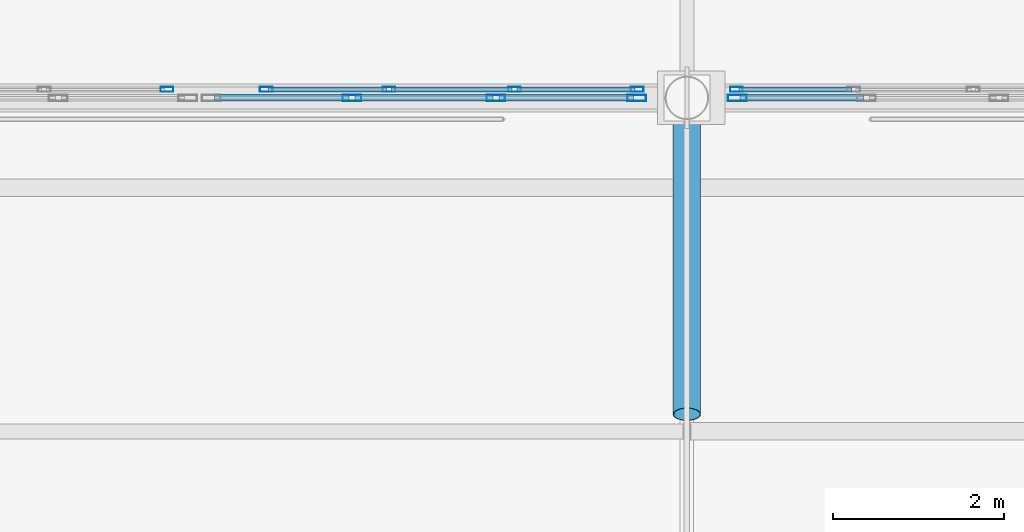
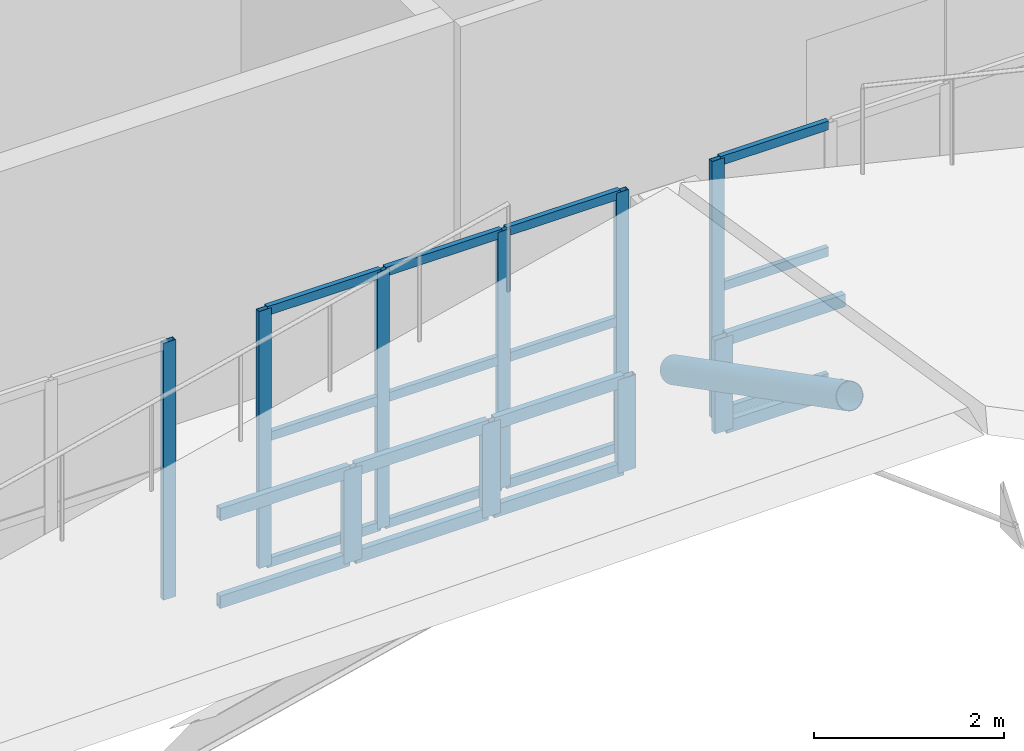
# One storey, part 41 of 120: 31 members, 5 elements without a shape of their own.
"""IFC4 building model written with IfcOpenShell, lengths in metres."""

from ifc_helpers import new_model, si_unit, direction, frame, origin, origin_2d, place, context, subcontext, project, spatial, hollow_rectangle, hollow_circle, extrude, material, material_profile, profile_set, type_object, element, aggregate, save


model = new_model("IFC4")

# Units and contexts
model_context = context("Model", 3, precision=1e-05, world=origin(), true_north=direction((0.0, 1.0)))
body_context = subcontext(model_context, "Body", "Model", "MODEL_VIEW")
ifc_project = project(units=[si_unit("LENGTHUNIT", "METRE"), si_unit("AREAUNIT", "SQUARE_METRE"), si_unit("VOLUMEUNIT", "CUBIC_METRE"), si_unit("PLANEANGLEUNIT", "RADIAN"), si_unit("MASSUNIT", "GRAM", prefix="KILO")], contexts=[model_context])

# Site, building, storey
site_placement = place(None, origin())
site = spatial("IfcSite", under=ifc_project, at=site_placement, CompositionType="ELEMENT")
building_placement = place(site_placement, origin())
building = spatial("IfcBuilding", under=site, at=building_placement, Name="Caurita Quay Ferry Terminal", CompositionType="ELEMENT")
storey_placement = place(building_placement, frame((0.0, 0.0, 9.89990234375)))
storey = spatial("IfcBuildingStorey", under=building, at=storey_placement, Name="L02", CompositionType="ELEMENT", Elevation=9.89990234375)

# Curtain wall, member
ifc_material_1 = material(Name="Laminated solar-control insulated glass", Category="glass")
curtain_wall_type_1 = type_object("IfcCurtainWallType", Name="CW-SYS-13", PredefinedType="NOTDEFINED", material=ifc_material_1)
curtain_wall_1_placement = place(storey_placement, origin())
curtain_wall_1 = element("IfcCurtainWall", 1, at=curtain_wall_1_placement, inside=storey, type_object=curtain_wall_type_1, Name="Mezzanine Hall Overlook Glazing 101", PredefinedType="NOTDEFINED")
ifc_material_2 = material(Name="Anodized aluminium 6063-T6", Category="aluminium")
ifc_material_profile_1 = material_profile(ifc_material_2, hollow_rectangle(XDim=0.06005859375, YDim=0.14990234375, WallThickness=0.00341796875, at=origin_2d()), Name="ALU-MUL-60X150")
ifc_profile_set_1 = profile_set([ifc_material_profile_1], Name="Anodized aluminium 6063-T6")
member_type_1 = type_object("IfcMemberType", Name="CW-MUL-150", PredefinedType="MULLION", material=ifc_profile_set_1)
member_1_placement = place(storey_placement, frame((70.919921875, 62.800048828125, 0.0), z_axis=(0.0, 0.0, 1.0), x_axis=(0.0, 1.0, 0.0)))
member_1 = element("IfcMember", 2, at=member_1_placement, type_object=member_type_1, Name="CW-MZL-101 Mullion 4", PredefinedType="MULLION", context=body_context, shape_type="SweptSolid", body=[
    extrude(hollow_rectangle(XDim=0.06005859375, YDim=0.14990234375, WallThickness=0.00341796875, at=origin_2d()), origin(), (0.0, 0.0, 1.0), 3.300048828125),
])
aggregate(curtain_wall_1, [member_1])

# Curtain wall, members
curtain_wall_2_placement = place(storey_placement, origin())
curtain_wall_2 = element("IfcCurtainWall", 3, at=curtain_wall_2_placement, inside=storey, type_object=curtain_wall_type_1, Name="Mezzanine Hall Overlook Glazing 102", PredefinedType="NOTDEFINED")
member_2_placement = place(storey_placement, frame((72.080078125, 62.800048828125, 0.0), z_axis=(0.0, 0.0, 1.0), x_axis=(0.0, 1.0, 0.0)))
member_2 = element("IfcMember", 4, at=member_2_placement, type_object=member_type_1, Name="CW-MZL-102 Mullion 1", PredefinedType="MULLION", context=body_context, shape_type="SweptSolid", body=[
    extrude(hollow_rectangle(XDim=0.06005859375, YDim=0.14990234375, WallThickness=0.00341796875, at=origin_2d()), origin(), (0.0, 0.0, 1.0), 3.300048828125),
])
member_3_placement = place(storey_placement, frame((73.5166015625, 62.800048828125, 0.0), z_axis=(0.0, 0.0, 1.0), x_axis=(0.0, 1.0, 0.0)))
member_3 = element("IfcMember", 5, at=member_3_placement, type_object=member_type_1, Name="CW-MZL-102 Mullion 2", PredefinedType="MULLION", context=body_context, shape_type="SweptSolid", body=[
    extrude(hollow_rectangle(XDim=0.06005859375, YDim=0.14990234375, WallThickness=0.00341796875, at=origin_2d()), origin(), (0.0, 0.0, 1.0), 3.300048828125),
])
member_4_placement = place(storey_placement, frame((74.9833984375, 62.800048828125, 0.0), z_axis=(0.0, 0.0, 1.0), x_axis=(0.0, 1.0, 0.0)))
member_4 = element("IfcMember", 6, at=member_4_placement, type_object=member_type_1, Name="CW-MZL-102 Mullion 3", PredefinedType="MULLION", context=body_context, shape_type="SweptSolid", body=[
    extrude(hollow_rectangle(XDim=0.06005859375, YDim=0.14990234375, WallThickness=0.00341796875, at=origin_2d()), origin(), (0.0, 0.0, 1.0), 3.300048828125),
])
member_5_placement = place(storey_placement, frame((76.419921875, 62.800048828125, 0.0), z_axis=(0.0, 0.0, 1.0), x_axis=(0.0, 1.0, 0.0)))
member_5 = element("IfcMember", 7, at=member_5_placement, type_object=member_type_1, Name="CW-MZL-102 Mullion 4", PredefinedType="MULLION", context=body_context, shape_type="SweptSolid", body=[
    extrude(hollow_rectangle(XDim=0.06005859375, YDim=0.14990234375, WallThickness=0.00341796875, at=origin_2d()), origin(), (0.0, 0.0, 1.0), 3.300048828125),
])

# Curtain wall, member
curtain_wall_type_2 = type_object("IfcCurtainWallType", Name="CW-SYS-14", PredefinedType="NOTDEFINED", material=ifc_material_1)
curtain_wall_3_placement = place(storey_placement, origin())
curtain_wall_3 = element("IfcCurtainWall", 8, at=curtain_wall_3_placement, inside=storey, type_object=curtain_wall_type_2, Name="Mezzanine Hall Overlook Glazing 103", PredefinedType="NOTDEFINED")
member_6_placement = place(storey_placement, frame((77.580078125, 62.800048828125, 0.0), z_axis=(0.0, 0.0, 1.0), x_axis=(0.0, 1.0, 0.0)))
member_6 = element("IfcMember", 9, at=member_6_placement, type_object=member_type_1, Name="CW-MZL-103 Mullion 1", PredefinedType="MULLION", context=body_context, shape_type="SweptSolid", body=[
    extrude(hollow_rectangle(XDim=0.06005859375, YDim=0.14990234375, WallThickness=0.00341796875, at=origin_2d()), origin(), (0.0, 0.0, 1.0), 3.300048828125),
])

# Curtain wall, members
curtain_wall_type_3 = type_object("IfcCurtainWallType", Name="CW-SYS-06", PredefinedType="NOTDEFINED", material=ifc_material_1)
curtain_wall_4_placement = place(storey_placement, origin())
curtain_wall_4 = element("IfcCurtainWall", 10, at=curtain_wall_4_placement, inside=storey, type_object=curtain_wall_type_3, Name="Folded Roof Clerestory FB-04-N2", PredefinedType="NOTDEFINED")
ifc_material_profile_2 = material_profile(ifc_material_2, hollow_rectangle(XDim=0.074951171875, YDim=0.219970703125, WallThickness=0.00390625, at=origin_2d()), Name="ALU-MUL-75X220")
ifc_profile_set_2 = profile_set([ifc_material_profile_2], Name="Anodized aluminium 6063-T6")
member_type_2 = type_object("IfcMemberType", Name="CW-MUL-220", PredefinedType="MULLION", material=ifc_profile_set_2)
member_7_placement = place(storey_placement, frame((73.083251953125, 62.699951171875, -0.218994140625), z_axis=(0.0, 0.0, 1.0), x_axis=(0.0, 1.0, 0.0)))
member_7 = element("IfcMember", 11, at=member_7_placement, type_object=member_type_2, Name="CW-CLR-030 Mullion 2", PredefinedType="MULLION", context=body_context, shape_type="SweptSolid", body=[
    extrude(hollow_rectangle(XDim=0.074951171875, YDim=0.219970703125, WallThickness=0.00390625, at=origin_2d()), origin(), (0.0, 0.0, 1.0), 1.2001953125),
])
member_8_placement = place(storey_placement, frame((74.7666015625, 62.699951171875, -0.218994140625), z_axis=(0.0, 0.0, 1.0), x_axis=(0.0, 1.0, 0.0)))
member_8 = element("IfcMember", 12, at=member_8_placement, type_object=member_type_2, Name="CW-CLR-030 Mullion 3", PredefinedType="MULLION", context=body_context, shape_type="SweptSolid", body=[
    extrude(hollow_rectangle(XDim=0.074951171875, YDim=0.219970703125, WallThickness=0.00390625, at=origin_2d()), origin(), (0.0, 0.0, 1.0), 1.2001953125),
])
member_9_placement = place(storey_placement, frame((76.41259765625, 62.699951171875, -0.218994140625), z_axis=(0.0, 0.0, 1.0), x_axis=(0.0, 1.0, 0.0)))
member_9 = element("IfcMember", 13, at=member_9_placement, type_object=member_type_2, Name="CW-CLR-030 Mullion 4", PredefinedType="MULLION", context=body_context, shape_type="SweptSolid", body=[
    extrude(hollow_rectangle(XDim=0.074951171875, YDim=0.219970703125, WallThickness=0.00390625, at=origin_2d()), origin(), (0.0, 0.0, 1.0), 1.2001953125),
])

# Curtain wall, member
curtain_wall_type_4 = type_object("IfcCurtainWallType", Name="CW-SYS-05", PredefinedType="NOTDEFINED", material=ifc_material_1)
curtain_wall_5_placement = place(storey_placement, origin())
curtain_wall_5 = element("IfcCurtainWall", 14, at=curtain_wall_5_placement, inside=storey, type_object=curtain_wall_type_4, Name="Folded Roof Clerestory FB-04-N3", PredefinedType="NOTDEFINED")
member_10_placement = place(storey_placement, frame((77.58740234375, 62.699951171875, -0.122802734375), z_axis=(0.0, 0.0, 1.0), x_axis=(0.0, 1.0, 0.0)))
member_10 = element("IfcMember", 15, at=member_10_placement, type_object=member_type_2, Name="CW-CLR-031 Mullion 1", PredefinedType="MULLION", context=body_context, shape_type="SweptSolid", body=[
    extrude(hollow_rectangle(XDim=0.074951171875, YDim=0.219970703125, WallThickness=0.00390625, at=origin_2d()), origin(), (0.0, 0.0, 1.0), 1.199951171875),
])

# Member
ifc_material_profile_3 = material_profile(ifc_material_2, hollow_rectangle(XDim=0.06005859375, YDim=0.114990234375, WallThickness=0.00341796875, at=origin_2d()), Name="ALU-TRN-60X115")
ifc_profile_set_3 = profile_set([ifc_material_profile_3], Name="Anodized aluminium 6063-T6")
member_type_3 = type_object("IfcMemberType", Name="CW-TRN-115", PredefinedType="USERDEFINED", material=ifc_profile_set_3)
member_11_placement = place(storey_placement, frame((72.10791015625, 62.800048828125, 0.030029296875), z_axis=(1.0, 0.0, 0.0), x_axis=(0.0, 1.0, 0.0)))
member_11 = element("IfcMember", 16, at=member_11_placement, type_object=member_type_3, Name="CW-MZL-102 Transom 1", ObjectType="TRANSOM", PredefinedType="USERDEFINED", context=body_context, shape_type="SweptSolid", body=[
    extrude(hollow_rectangle(XDim=0.06005859375, YDim=0.114990234375, WallThickness=0.00341796875, at=origin_2d()), origin(), (0.0, 0.0, 1.0), 1.380859375),
])

member_12_placement = place(storey_placement, frame((72.10791015625, 62.800048828125, 1.650146484375), z_axis=(1.0, 0.0, 0.0), x_axis=(0.0, 1.0, 0.0)))
member_12 = element("IfcMember", 17, at=member_12_placement, type_object=member_type_3, Name="CW-MZL-102 Transom 2", ObjectType="TRANSOM", PredefinedType="USERDEFINED", context=body_context, shape_type="SweptSolid", body=[
    extrude(hollow_rectangle(XDim=0.06005859375, YDim=0.114990234375, WallThickness=0.00341796875, at=origin_2d()), origin(), (0.0, 0.0, 1.0), 1.380859375),
])

member_13_placement = place(storey_placement, frame((72.10791015625, 62.800048828125, 3.27001953125), z_axis=(1.0, 0.0, 0.0), x_axis=(0.0, 1.0, 0.0)))
member_13 = element("IfcMember", 18, at=member_13_placement, type_object=member_type_3, Name="CW-MZL-102 Transom 3", ObjectType="TRANSOM", PredefinedType="USERDEFINED", context=body_context, shape_type="SweptSolid", body=[
    extrude(hollow_rectangle(XDim=0.06005859375, YDim=0.114990234375, WallThickness=0.00341796875, at=origin_2d()), origin(), (0.0, 0.0, 1.0), 1.380859375),
])

member_14_placement = place(storey_placement, frame((73.544677734375, 62.800048828125, 0.030029296875), z_axis=(1.0, 0.0, 0.0), x_axis=(0.0, 1.0, 0.0)))
member_14 = element("IfcMember", 19, at=member_14_placement, type_object=member_type_3, Name="CW-MZL-102 Transom 4", ObjectType="TRANSOM", PredefinedType="USERDEFINED", context=body_context, shape_type="SweptSolid", body=[
    extrude(hollow_rectangle(XDim=0.06005859375, YDim=0.114990234375, WallThickness=0.00341796875, at=origin_2d()), origin(), (0.0, 0.0, 1.0), 1.41064453125),
])

member_15_placement = place(storey_placement, frame((73.544677734375, 62.800048828125, 1.650146484375), z_axis=(1.0, 0.0, 0.0), x_axis=(0.0, 1.0, 0.0)))
member_15 = element("IfcMember", 20, at=member_15_placement, type_object=member_type_3, Name="CW-MZL-102 Transom 5", ObjectType="TRANSOM", PredefinedType="USERDEFINED", context=body_context, shape_type="SweptSolid", body=[
    extrude(hollow_rectangle(XDim=0.06005859375, YDim=0.114990234375, WallThickness=0.00341796875, at=origin_2d()), origin(), (0.0, 0.0, 1.0), 1.41064453125),
])

member_16_placement = place(storey_placement, frame((73.544677734375, 62.800048828125, 3.27001953125), z_axis=(1.0, 0.0, 0.0), x_axis=(0.0, 1.0, 0.0)))
member_16 = element("IfcMember", 21, at=member_16_placement, type_object=member_type_3, Name="CW-MZL-102 Transom 6", ObjectType="TRANSOM", PredefinedType="USERDEFINED", context=body_context, shape_type="SweptSolid", body=[
    extrude(hollow_rectangle(XDim=0.06005859375, YDim=0.114990234375, WallThickness=0.00341796875, at=origin_2d()), origin(), (0.0, 0.0, 1.0), 1.41064453125),
])

member_17_placement = place(storey_placement, frame((75.01123046875, 62.800048828125, 0.030029296875), z_axis=(1.0, 0.0, 0.0), x_axis=(0.0, 1.0, 0.0)))
member_17 = element("IfcMember", 22, at=member_17_placement, type_object=member_type_3, Name="CW-MZL-102 Transom 7", ObjectType="TRANSOM", PredefinedType="USERDEFINED", context=body_context, shape_type="SweptSolid", body=[
    extrude(hollow_rectangle(XDim=0.06005859375, YDim=0.114990234375, WallThickness=0.00341796875, at=origin_2d()), origin(), (0.0, 0.0, 1.0), 1.380859375),
])

member_18_placement = place(storey_placement, frame((75.01123046875, 62.800048828125, 1.650146484375), z_axis=(1.0, 0.0, 0.0), x_axis=(0.0, 1.0, 0.0)))
member_18 = element("IfcMember", 23, at=member_18_placement, type_object=member_type_3, Name="CW-MZL-102 Transom 8", ObjectType="TRANSOM", PredefinedType="USERDEFINED", context=body_context, shape_type="SweptSolid", body=[
    extrude(hollow_rectangle(XDim=0.06005859375, YDim=0.114990234375, WallThickness=0.00341796875, at=origin_2d()), origin(), (0.0, 0.0, 1.0), 1.380859375),
])

member_19_placement = place(storey_placement, frame((75.01123046875, 62.800048828125, 3.27001953125), z_axis=(1.0, 0.0, 0.0), x_axis=(0.0, 1.0, 0.0)))
member_19 = element("IfcMember", 24, at=member_19_placement, type_object=member_type_3, Name="CW-MZL-102 Transom 9", ObjectType="TRANSOM", PredefinedType="USERDEFINED", context=body_context, shape_type="SweptSolid", body=[
    extrude(hollow_rectangle(XDim=0.06005859375, YDim=0.114990234375, WallThickness=0.00341796875, at=origin_2d()), origin(), (0.0, 0.0, 1.0), 1.380859375),
])

aggregate(curtain_wall_2, [member_2, member_3, member_4, member_5, member_11, member_12, member_13, member_14, member_15, member_16, member_17, member_18, member_19])

member_20_placement = place(storey_placement, frame((77.60791015625, 62.800048828125, 0.030029296875), z_axis=(1.0, 0.0, 0.0), x_axis=(0.0, 1.0, 0.0)))
member_20 = element("IfcMember", 25, at=member_20_placement, type_object=member_type_3, Name="CW-MZL-103 Transom 1", ObjectType="TRANSOM", PredefinedType="USERDEFINED", context=body_context, shape_type="SweptSolid", body=[
    extrude(hollow_rectangle(XDim=0.06005859375, YDim=0.114990234375, WallThickness=0.00341796875, at=origin_2d()), origin(), (0.0, 0.0, 1.0), 1.314208984375),
])

member_21_placement = place(storey_placement, frame((77.60791015625, 62.800048828125, 1.650146484375), z_axis=(1.0, 0.0, 0.0), x_axis=(0.0, 1.0, 0.0)))
member_21 = element("IfcMember", 26, at=member_21_placement, type_object=member_type_3, Name="CW-MZL-103 Transom 2", ObjectType="TRANSOM", PredefinedType="USERDEFINED", context=body_context, shape_type="SweptSolid", body=[
    extrude(hollow_rectangle(XDim=0.06005859375, YDim=0.114990234375, WallThickness=0.00341796875, at=origin_2d()), origin(), (0.0, 0.0, 1.0), 1.314208984375),
])

member_22_placement = place(storey_placement, frame((77.60791015625, 62.800048828125, 3.27001953125), z_axis=(1.0, 0.0, 0.0), x_axis=(0.0, 1.0, 0.0)))
member_22 = element("IfcMember", 27, at=member_22_placement, type_object=member_type_3, Name="CW-MZL-103 Transom 3", ObjectType="TRANSOM", PredefinedType="USERDEFINED", context=body_context, shape_type="SweptSolid", body=[
    extrude(hollow_rectangle(XDim=0.06005859375, YDim=0.114990234375, WallThickness=0.00341796875, at=origin_2d()), origin(), (0.0, 0.0, 1.0), 1.314208984375),
])

aggregate(curtain_wall_3, [member_6, member_20, member_21, member_22])

ifc_material_profile_4 = material_profile(ifc_material_2, hollow_rectangle(XDim=0.074951171875, YDim=0.159912109375, WallThickness=0.00390625, at=origin_2d()), Name="ALU-TRN-75X160")
ifc_profile_set_4 = profile_set([ifc_material_profile_4], Name="Anodized aluminium 6063-T6")
member_type_4 = type_object("IfcMemberType", Name="CW-TRN-160", PredefinedType="USERDEFINED", material=ifc_profile_set_4)
member_23_placement = place(storey_placement, frame((71.472900390625, 62.699951171875, -0.181396484375), z_axis=(1.0, 0.0, 0.0), x_axis=(0.0, 1.0, 0.0)))
member_23 = element("IfcMember", 28, at=member_23_placement, type_object=member_type_4, Name="CW-CLR-030 Transom 1", ObjectType="TRANSOM", PredefinedType="USERDEFINED", context=body_context, shape_type="SweptSolid", body=[
    extrude(hollow_rectangle(XDim=0.074951171875, YDim=0.159912109375, WallThickness=0.00390625, at=origin_2d()), origin(), (0.0, 0.0, 1.0), 1.574951171875),
])

member_24_placement = place(storey_placement, frame((71.472900390625, 62.699951171875, 0.943603515625), z_axis=(1.0, 0.0, 0.0), x_axis=(0.0, 1.0, 0.0)))
member_24 = element("IfcMember", 29, at=member_24_placement, type_object=member_type_4, Name="CW-CLR-030 Transom 2", ObjectType="TRANSOM", PredefinedType="USERDEFINED", context=body_context, shape_type="SweptSolid", body=[
    extrude(hollow_rectangle(XDim=0.074951171875, YDim=0.159912109375, WallThickness=0.00390625, at=origin_2d()), origin(), (0.0, 0.0, 1.0), 1.574951171875),
])

member_25_placement = place(storey_placement, frame((73.118896484375, 62.699951171875, -0.181396484375), z_axis=(1.0, 0.0, 0.0), x_axis=(0.0, 1.0, 0.0)))
member_25 = element("IfcMember", 30, at=member_25_placement, type_object=member_type_4, Name="CW-CLR-030 Transom 3", ObjectType="TRANSOM", PredefinedType="USERDEFINED", context=body_context, shape_type="SweptSolid", body=[
    extrude(hollow_rectangle(XDim=0.074951171875, YDim=0.159912109375, WallThickness=0.00390625, at=origin_2d()), origin(), (0.0, 0.0, 1.0), 1.6123046875),
])

member_26_placement = place(storey_placement, frame((73.118896484375, 62.699951171875, 0.943603515625), z_axis=(1.0, 0.0, 0.0), x_axis=(0.0, 1.0, 0.0)))
member_26 = element("IfcMember", 31, at=member_26_placement, type_object=member_type_4, Name="CW-CLR-030 Transom 4", ObjectType="TRANSOM", PredefinedType="USERDEFINED", context=body_context, shape_type="SweptSolid", body=[
    extrude(hollow_rectangle(XDim=0.074951171875, YDim=0.159912109375, WallThickness=0.00390625, at=origin_2d()), origin(), (0.0, 0.0, 1.0), 1.6123046875),
])

member_27_placement = place(storey_placement, frame((74.80224609375, 62.699951171875, -0.181396484375), z_axis=(1.0, 0.0, 0.0), x_axis=(0.0, 1.0, 0.0)))
member_27 = element("IfcMember", 32, at=member_27_placement, type_object=member_type_4, Name="CW-CLR-030 Transom 5", ObjectType="TRANSOM", PredefinedType="USERDEFINED", context=body_context, shape_type="SweptSolid", body=[
    extrude(hollow_rectangle(XDim=0.074951171875, YDim=0.159912109375, WallThickness=0.00390625, at=origin_2d()), origin(), (0.0, 0.0, 1.0), 1.57470703125),
])

member_28_placement = place(storey_placement, frame((74.80224609375, 62.699951171875, 0.943603515625), z_axis=(1.0, 0.0, 0.0), x_axis=(0.0, 1.0, 0.0)))
member_28 = element("IfcMember", 33, at=member_28_placement, type_object=member_type_4, Name="CW-CLR-030 Transom 6", ObjectType="TRANSOM", PredefinedType="USERDEFINED", context=body_context, shape_type="SweptSolid", body=[
    extrude(hollow_rectangle(XDim=0.074951171875, YDim=0.159912109375, WallThickness=0.00390625, at=origin_2d()), origin(), (0.0, 0.0, 1.0), 1.57470703125),
])

aggregate(curtain_wall_4, [member_7, member_8, member_9, member_23, member_24, member_25, member_26, member_27, member_28])

member_29_placement = place(storey_placement, frame((77.623046875, 62.699951171875, -0.08544921875), z_axis=(1.0, 0.0, 0.0), x_axis=(0.0, 1.0, 0.0)))
member_29 = element("IfcMember", 34, at=member_29_placement, type_object=member_type_4, Name="CW-CLR-031 Transom 1", ObjectType="TRANSOM", PredefinedType="USERDEFINED", context=body_context, shape_type="SweptSolid", body=[
    extrude(hollow_rectangle(XDim=0.074951171875, YDim=0.159912109375, WallThickness=0.00390625, at=origin_2d()), origin(), (0.0, 0.0, 1.0), 1.44140625),
])

member_30_placement = place(storey_placement, frame((77.623046875, 62.699951171875, 1.03955078125), z_axis=(1.0, 0.0, 0.0), x_axis=(0.0, 1.0, 0.0)))
member_30 = element("IfcMember", 35, at=member_30_placement, type_object=member_type_4, Name="CW-CLR-031 Transom 2", ObjectType="TRANSOM", PredefinedType="USERDEFINED", context=body_context, shape_type="SweptSolid", body=[
    extrude(hollow_rectangle(XDim=0.074951171875, YDim=0.159912109375, WallThickness=0.00390625, at=origin_2d()), origin(), (0.0, 0.0, 1.0), 1.44140625),
])

aggregate(curtain_wall_5, [member_10, member_29, member_30])

ifc_material_3 = material(Name="Hollow structural steel ASTM A500 Gr. C", Category="steel")
ifc_material_profile_5 = material_profile(ifc_material_3, hollow_circle(Radius=0.161865234375, WallThickness=0.0087890625, at=origin_2d()), Name="HSS12.750X0.375")
ifc_profile_set_5 = profile_set([ifc_material_profile_5], Name="Hollow structural steel ASTM A500 Gr. C")
member_type_5 = type_object("IfcMemberType", Name="MEM-STR-12", PredefinedType="STRUT", material=ifc_profile_set_5)
member_31_placement = place(storey_placement, frame((77.0, 62.699951171875, 0.85009765625), z_axis=(0.0, -0.888929687657, 0.458043677395), x_axis=(1.0, 0.0, 0.0)))
element("IfcMember", 36, at=member_31_placement, inside=storey, type_object=member_type_5, Name="Mast Tree-Strut V1-08-S2", PredefinedType="STRUT", context=body_context, shape_type="SweptSolid", body=[
    extrude(hollow_circle(Radius=0.161865234375, WallThickness=0.0087890625, at=origin_2d()), origin(), (0.0, 0.0, 1.0), 4.162353515625),
])

save(model, "model.ifc")
